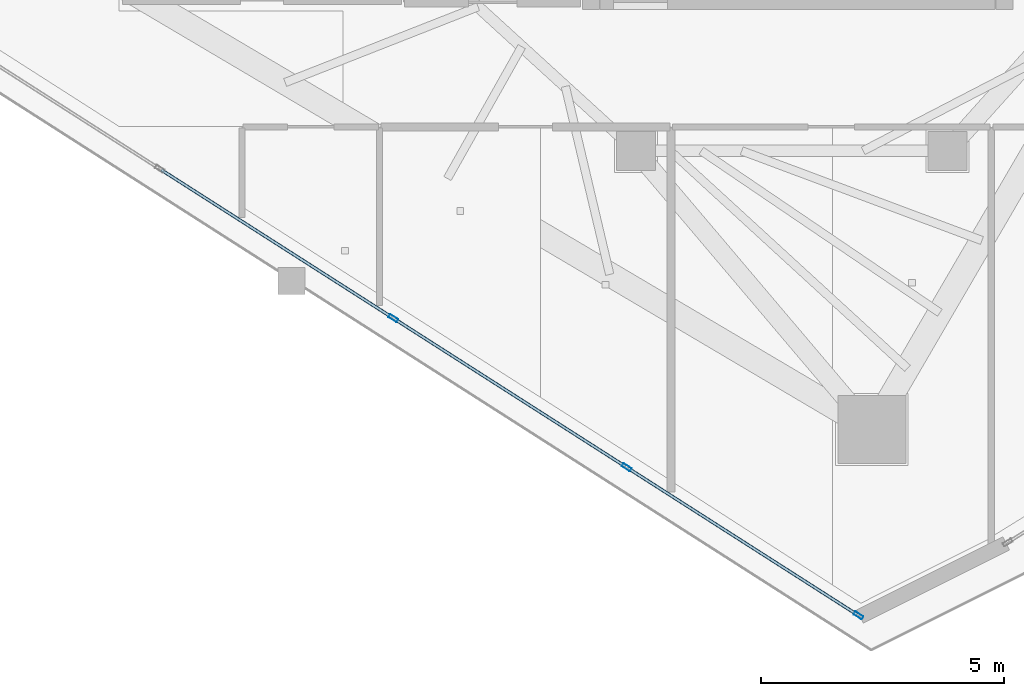
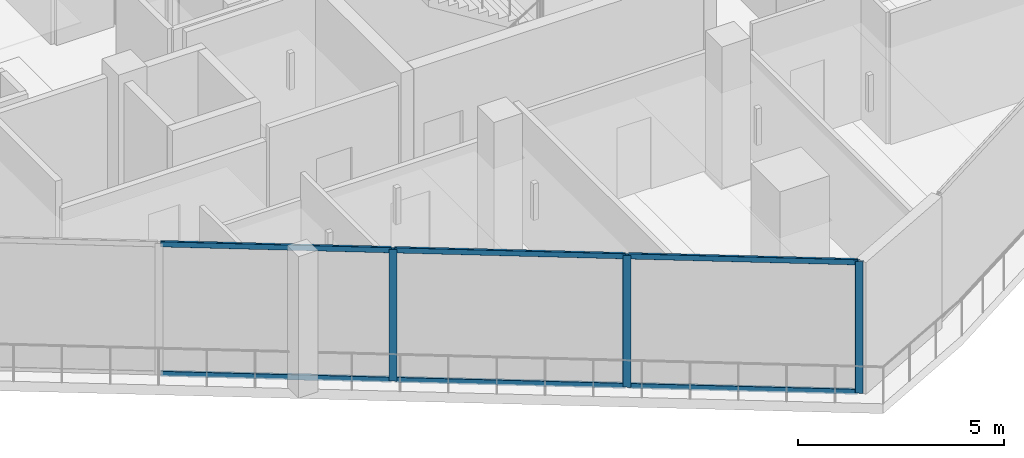
# One storey, part 3 of 24: 9 members, 1 element without a shape of its own.
"""IFC4 building model written with IfcOpenShell, lengths in metres."""

from ifc_helpers import new_model, si_unit, direction, frame, origin, origin_2d, place, context, subcontext, project, spatial, hollow_rectangle, extrude, material, layer, layer_set, material_profile, profile_set, type_object, element, aggregate, save


model = new_model("IFC4")

# Units and contexts
model_context = context("Model", 3, precision=1e-05, world=origin(), true_north=direction((0.0, 1.0)))
body_context = subcontext(model_context, "Body", "Model", "MODEL_VIEW")
ifc_project = project(units=[si_unit("LENGTHUNIT", "METRE"), si_unit("AREAUNIT", "SQUARE_METRE"), si_unit("VOLUMEUNIT", "CUBIC_METRE"), si_unit("PLANEANGLEUNIT", "RADIAN"), si_unit("MASSUNIT", "GRAM", prefix="KILO")], contexts=[model_context])

# Site, building, storey
site_placement = place(None, origin())
site = spatial("IfcSite", under=ifc_project, at=site_placement, CompositionType="ELEMENT")
building_placement = place(site_placement, origin())
building = spatial("IfcBuilding", under=site, at=building_placement, Name="Qorvath Tower", CompositionType="ELEMENT")
storey_placement = place(building_placement, frame((0.0, 0.0, 318.60009765625)))
storey = spatial("IfcBuildingStorey", under=building, at=storey_placement, Name="L74", CompositionType="ELEMENT", Elevation=318.60009765625)

# Curtain wall, members
ifc_material_1 = material(Name="Anodised aluminium and triple low-E glass", Category="aluminium")
ifc_layer = layer(ifc_material_1, 0.179931640625)
ifc_layer_set = layer_set([ifc_layer], Name="CW-SYS-4")
curtain_wall_type = type_object("IfcCurtainWallType", Name="CW-SYS-4", PredefinedType="NOTDEFINED", material=ifc_layer_set)
curtain_wall_placement = place(storey_placement, origin())
curtain_wall = element("IfcCurtainWall", 1, at=curtain_wall_placement, inside=storey, type_object=curtain_wall_type, Name="Curtain Wall CW-4 CW-T-L74-2.1", PredefinedType="NOTDEFINED")
ifc_material_2 = material(Name="Anodised aluminium 6063-T6", Category="aluminium")
ifc_material_profile_1 = material_profile(ifc_material_2, hollow_rectangle(XDim=0.074951171875, YDim=0.199951171875, WallThickness=0.00390625, InnerFilletRadius=0.00390625, OuterFilletRadius=0.008056640625, at=origin_2d()), Name="CWM 200x75")
ifc_profile_set_1 = profile_set([ifc_material_profile_1], Name="Anodised aluminium 6063-T6")
member_type_1 = type_object("IfcMemberType", Name="CWM-200", PredefinedType="MULLION", material=ifc_profile_set_1)
member_1_placement = place(storey_placement, frame((-28.585693359375, -14.888671875, 0.0), z_axis=(0.0, 0.0, 1.0), x_axis=(0.538531704636, 0.842605247493, 0.0)))
member_1 = element("IfcMember", 2, at=member_1_placement, type_object=member_type_1, Name="CW-4 mullion 5", PredefinedType="MULLION", context=body_context, shape_type="SweptSolid", body=[
    extrude(hollow_rectangle(XDim=0.074951171875, YDim=0.199951171875, WallThickness=0.00390625, InnerFilletRadius=0.00390625, OuterFilletRadius=0.008056640625, at=origin_2d()), origin(), (0.0, 0.0, 1.0), 3.909912109375),
])
member_2_placement = place(storey_placement, frame((-23.78955078125, -17.9541015625, 0.0), z_axis=(0.0, 0.0, 1.0), x_axis=(0.538531704636, 0.842605247493, 0.0)))
member_2 = element("IfcMember", 3, at=member_2_placement, type_object=member_type_1, Name="CW-4 mullion 6", PredefinedType="MULLION", context=body_context, shape_type="SweptSolid", body=[
    extrude(hollow_rectangle(XDim=0.074951171875, YDim=0.199951171875, WallThickness=0.00390625, InnerFilletRadius=0.00390625, OuterFilletRadius=0.008056640625, at=origin_2d()), origin(), (0.0, 0.0, 1.0), 3.909912109375),
])
member_3_placement = place(storey_placement, frame((-19.02490234375, -20.9990234375, 0.0), z_axis=(0.0, 0.0, 1.0), x_axis=(0.538531704636, 0.842605247493, 0.0)))
member_3 = element("IfcMember", 4, at=member_3_placement, type_object=member_type_1, Name="CW-4 mullion 7", PredefinedType="MULLION", context=body_context, shape_type="SweptSolid", body=[
    extrude(hollow_rectangle(XDim=0.074951171875, YDim=0.199951171875, WallThickness=0.00390625, InnerFilletRadius=0.00390625, OuterFilletRadius=0.008056640625, at=origin_2d()), origin(), (0.0, 0.0, 1.0), 3.909912109375),
])
ifc_material_3 = material(Name="Anodised aluminium 6063-T6", Category="aluminium")
ifc_material_profile_2 = material_profile(ifc_material_3, hollow_rectangle(XDim=0.06494140625, YDim=0.159912109375, WallThickness=0.00341796875, InnerFilletRadius=0.00341796875, OuterFilletRadius=0.007080078125, at=origin_2d()), Name="CWT 160x65")
ifc_profile_set_2 = profile_set([ifc_material_profile_2], Name="Anodised aluminium 6063-T6")
member_type_2 = type_object("IfcMemberType", Name="CWT-160", PredefinedType="USERDEFINED", material=ifc_profile_set_2)
member_4_placement = place(storey_placement, frame((-33.35009765625, -11.843505859375, 0.032470703125), z_axis=(0.842607508841, -0.538528166436, 0.0), x_axis=(0.538528166436, 0.842607508841, 0.0)))
member_4 = element("IfcMember", 5, at=member_4_placement, type_object=member_type_2, Name="CW-4 transom 4.1", ObjectType="TRANSOM", PredefinedType="USERDEFINED", context=body_context, shape_type="SweptSolid", body=[
    extrude(hollow_rectangle(XDim=0.06494140625, YDim=0.159912109375, WallThickness=0.00341796875, InnerFilletRadius=0.00341796875, OuterFilletRadius=0.007080078125, at=origin_2d()), origin(), (0.0, 0.0, 1.0), 5.616943359375),
])
member_5_placement = place(storey_placement, frame((-33.35009765625, -11.843505859375, 3.87744140625), z_axis=(0.842607508841, -0.538528166436, 0.0), x_axis=(0.538528166436, 0.842607508841, 0.0)))
member_5 = element("IfcMember", 6, at=member_5_placement, type_object=member_type_2, Name="CW-4 transom 4.2", ObjectType="TRANSOM", PredefinedType="USERDEFINED", context=body_context, shape_type="SweptSolid", body=[
    extrude(hollow_rectangle(XDim=0.06494140625, YDim=0.159912109375, WallThickness=0.00341796875, InnerFilletRadius=0.00341796875, OuterFilletRadius=0.007080078125, at=origin_2d()), origin(), (0.0, 0.0, 1.0), 5.616943359375),
])
member_6_placement = place(storey_placement, frame((-28.553955078125, -14.908935546875, 0.032470703125), z_axis=(0.842607508841, -0.538528166436, 0.0), x_axis=(0.538528166436, 0.842607508841, 0.0)))
member_6 = element("IfcMember", 7, at=member_6_placement, type_object=member_type_2, Name="CW-4 transom 5.1", ObjectType="TRANSOM", PredefinedType="USERDEFINED", context=body_context, shape_type="SweptSolid", body=[
    extrude(hollow_rectangle(XDim=0.06494140625, YDim=0.159912109375, WallThickness=0.00341796875, InnerFilletRadius=0.00341796875, OuterFilletRadius=0.007080078125, at=origin_2d()), origin(), (0.0, 0.0, 1.0), 5.616943359375),
])
member_7_placement = place(storey_placement, frame((-28.553955078125, -14.908935546875, 3.87744140625), z_axis=(0.842607508841, -0.538528166436, 0.0), x_axis=(0.538528166436, 0.842607508841, 0.0)))
member_7 = element("IfcMember", 8, at=member_7_placement, type_object=member_type_2, Name="CW-4 transom 5.2", ObjectType="TRANSOM", PredefinedType="USERDEFINED", context=body_context, shape_type="SweptSolid", body=[
    extrude(hollow_rectangle(XDim=0.06494140625, YDim=0.159912109375, WallThickness=0.00341796875, InnerFilletRadius=0.00341796875, OuterFilletRadius=0.007080078125, at=origin_2d()), origin(), (0.0, 0.0, 1.0), 5.616943359375),
])
member_8_placement = place(storey_placement, frame((-23.7578125, -17.97412109375, 0.032470703125), z_axis=(0.842585950362, -0.538561896399, 0.0), x_axis=(0.538561896399, 0.842585950362, 0.0)))
member_8 = element("IfcMember", 9, at=member_8_placement, type_object=member_type_2, Name="CW-4 transom 6.1", ObjectType="TRANSOM", PredefinedType="USERDEFINED", context=body_context, shape_type="SweptSolid", body=[
    extrude(hollow_rectangle(XDim=0.06494140625, YDim=0.159912109375, WallThickness=0.00341796875, InnerFilletRadius=0.00341796875, OuterFilletRadius=0.007080078125, at=origin_2d()), origin(), (0.0, 0.0, 1.0), 5.579345703125),
])
member_9_placement = place(storey_placement, frame((-23.7578125, -17.97412109375, 3.87744140625), z_axis=(0.842585950362, -0.538561896399, 0.0), x_axis=(0.538561896399, 0.842585950362, 0.0)))
member_9 = element("IfcMember", 10, at=member_9_placement, type_object=member_type_2, Name="CW-4 transom 6.2", ObjectType="TRANSOM", PredefinedType="USERDEFINED", context=body_context, shape_type="SweptSolid", body=[
    extrude(hollow_rectangle(XDim=0.06494140625, YDim=0.159912109375, WallThickness=0.00341796875, InnerFilletRadius=0.00341796875, OuterFilletRadius=0.007080078125, at=origin_2d()), origin(), (0.0, 0.0, 1.0), 5.579345703125),
])
aggregate(curtain_wall, [member_1, member_2, member_3, member_4, member_5, member_6, member_7, member_8, member_9])

save(model, "model.ifc")
